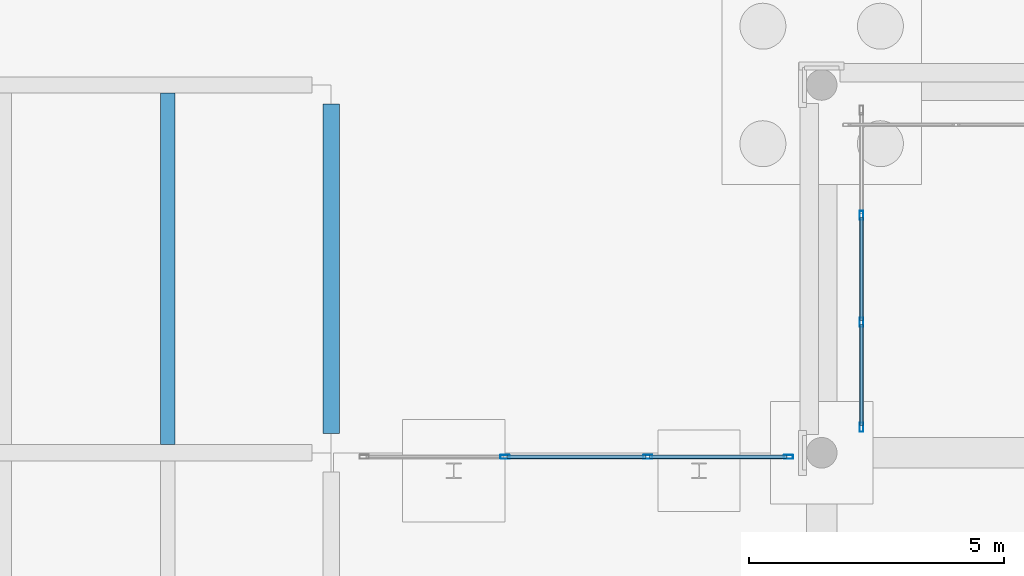
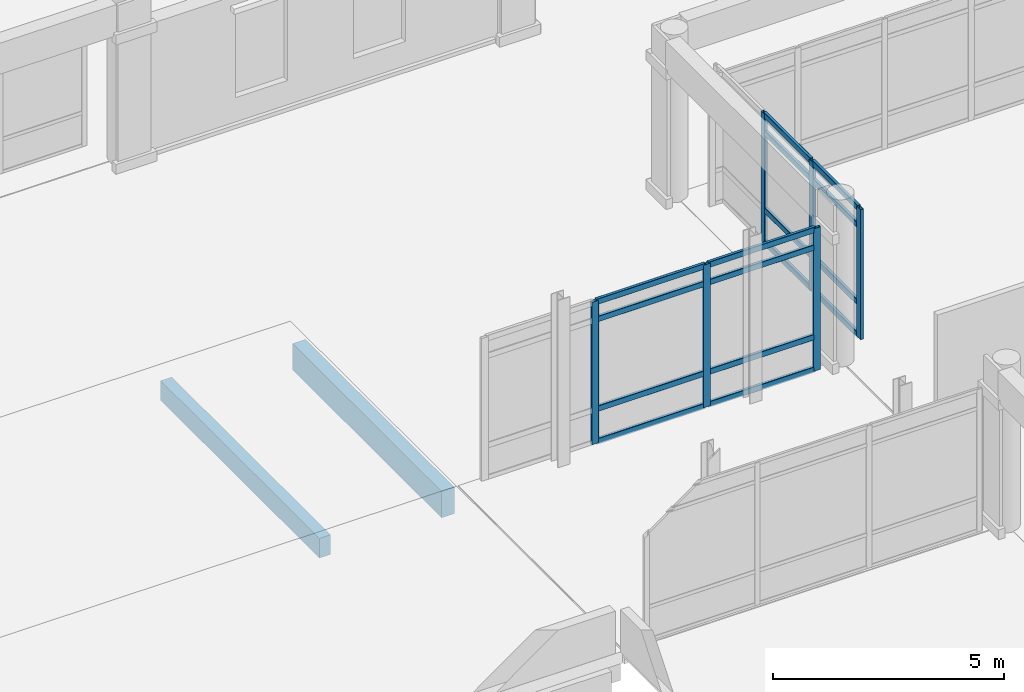
# One storey, part 75 of 196: 22 members, 2 beams, 2 elements without a shape of their own.
"""IFC4 building model written with IfcOpenShell, lengths in metres."""

from ifc_helpers import new_model, si_unit, direction, frame, origin, origin_2d, place, context, subcontext, project, spatial, rectangle, hollow_rectangle, extrude, material, layer, layer_set, material_profile, profile_set, type_object, element, aggregate, save


model = new_model("IFC4")

# Units and contexts
model_context = context("Model", 3, precision=1e-05, world=origin(), true_north=direction((0.0, 1.0)))
body_context = subcontext(model_context, "Body", "Model", "MODEL_VIEW")
ifc_project = project(units=[si_unit("LENGTHUNIT", "METRE"), si_unit("AREAUNIT", "SQUARE_METRE"), si_unit("VOLUMEUNIT", "CUBIC_METRE"), si_unit("PLANEANGLEUNIT", "RADIAN"), si_unit("MASSUNIT", "GRAM", prefix="KILO")], contexts=[model_context])

# Site, building, storey
site_placement = place(None, origin())
site = spatial("IfcSite", under=ifc_project, at=site_placement, CompositionType="ELEMENT")
building_placement = place(site_placement, origin())
building = spatial("IfcBuilding", under=site, at=building_placement, Name="Asteropetra Specialist Clinic", CompositionType="ELEMENT")
storey_placement = place(building_placement, origin())
storey = spatial("IfcBuildingStorey", under=building, at=storey_placement, Name="L00", CompositionType="ELEMENT", Elevation=0.0)

# Curtain wall, members
ifc_material_1 = material(Name="Aluminium and low-E glass", Category="aluminium")
ifc_layer_1 = layer(ifc_material_1, 0.135009765625)
ifc_layer_set_1 = layer_set([ifc_layer_1], Name="Aluminium and low-E glass")
curtain_wall_type_1 = type_object("IfcCurtainWallType", Name="CW-SYS-03", PredefinedType="USERDEFINED", material=ifc_layer_set_1)
curtain_wall_1_placement = place(storey_placement, origin())
curtain_wall_1 = element("IfcCurtainWall", 1, at=curtain_wall_1_placement, inside=storey, type_object=curtain_wall_type_1, Name="Curtain Wall CW-114", ObjectType="UNITISED CURTAIN WALL", PredefinedType="USERDEFINED")
ifc_material_2 = material(Name="Aluminium 6063-T6", Category="aluminium")
ifc_material_profile_1 = material_profile(ifc_material_2, hollow_rectangle(XDim=0.074951171875, YDim=0.179931640625, WallThickness=0.00390625, InnerFilletRadius=0.00390625, OuterFilletRadius=0.008056640625, at=origin_2d()), Name="MUL 180x75x4.0")
ifc_profile_set_1 = profile_set([ifc_material_profile_1], Name="Aluminium 6063-T6")
member_type_1 = type_object("IfcMemberType", Name="CWM-180x75", PredefinedType="MULLION", material=ifc_profile_set_1)
member_1_placement = place(storey_placement, frame((76.152587890625, 55.1201171875, 0.0), z_axis=(0.0, 0.0, 1.0), x_axis=(0.0, -1.0, 0.0)))
member_1 = element("IfcMember", 2, at=member_1_placement, type_object=member_type_1, Name="CW-114 mullion 1", PredefinedType="MULLION", context=body_context, shape_type="SweptSolid", body=[
    extrude(hollow_rectangle(XDim=0.074951171875, YDim=0.179931640625, WallThickness=0.00390625, InnerFilletRadius=0.00390625, OuterFilletRadius=0.008056640625, at=origin_2d()), origin(), (0.0, 0.0, 1.0), 3.77001953125),
])
member_2_placement = place(storey_placement, frame((73.396728515625, 55.1201171875, 0.0), z_axis=(0.0, 0.0, 1.0), x_axis=(0.0, -1.0, 0.0)))
member_2 = element("IfcMember", 3, at=member_2_placement, type_object=member_type_1, Name="CW-114 mullion 2", PredefinedType="MULLION", context=body_context, shape_type="SweptSolid", body=[
    extrude(hollow_rectangle(XDim=0.074951171875, YDim=0.179931640625, WallThickness=0.00390625, InnerFilletRadius=0.00390625, OuterFilletRadius=0.008056640625, at=origin_2d()), origin(), (0.0, 0.0, 1.0), 3.77001953125),
])
member_3_placement = place(storey_placement, frame((70.603271484375, 55.1201171875, 0.0), z_axis=(0.0, 0.0, 1.0), x_axis=(0.0, -1.0, 0.0)))
member_3 = element("IfcMember", 4, at=member_3_placement, type_object=member_type_1, Name="CW-114 mullion 3", PredefinedType="MULLION", context=body_context, shape_type="SweptSolid", body=[
    extrude(hollow_rectangle(XDim=0.074951171875, YDim=0.179931640625, WallThickness=0.00390625, InnerFilletRadius=0.00390625, OuterFilletRadius=0.008056640625, at=origin_2d()), origin(), (0.0, 0.0, 1.0), 3.77001953125),
])

ifc_material_3 = material(Name="Aluminium and low-E glass", Category="aluminium")
ifc_layer_2 = layer(ifc_material_3, 0.179931640625)
ifc_layer_set_2 = layer_set([ifc_layer_2], Name="Aluminium and low-E glass")
curtain_wall_type_2 = type_object("IfcCurtainWallType", Name="CW-SYS-01", PredefinedType="USERDEFINED", material=ifc_layer_set_2)
curtain_wall_2_placement = place(storey_placement, origin())
curtain_wall_2 = element("IfcCurtainWall", 5, at=curtain_wall_2_placement, inside=storey, type_object=curtain_wall_type_2, Name="Curtain Wall CW-171", ObjectType="UNITISED CURTAIN WALL", PredefinedType="USERDEFINED")
member_4_placement = place(storey_placement, frame((77.580078125, 59.8466796875, 0.0), z_axis=(0.0, 0.0, 1.0), x_axis=(1.0, 0.0, 0.0)))
member_4 = element("IfcMember", 6, at=member_4_placement, type_object=member_type_1, Name="CW-171 mullion 2", PredefinedType="MULLION", context=body_context, shape_type="SweptSolid", body=[
    extrude(hollow_rectangle(XDim=0.074951171875, YDim=0.179931640625, WallThickness=0.00390625, InnerFilletRadius=0.00390625, OuterFilletRadius=0.008056640625, at=origin_2d()), origin(), (0.0, 0.0, 1.0), 3.43994140625),
])
member_5_placement = place(storey_placement, frame((77.580078125, 57.75341796875, 0.0), z_axis=(0.0, 0.0, 1.0), x_axis=(1.0, 0.0, 0.0)))
member_5 = element("IfcMember", 7, at=member_5_placement, type_object=member_type_1, Name="CW-171 mullion 3", PredefinedType="MULLION", context=body_context, shape_type="SweptSolid", body=[
    extrude(hollow_rectangle(XDim=0.074951171875, YDim=0.179931640625, WallThickness=0.00390625, InnerFilletRadius=0.00390625, OuterFilletRadius=0.008056640625, at=origin_2d()), origin(), (0.0, 0.0, 1.0), 3.43994140625),
])
member_6_placement = place(storey_placement, frame((77.580078125, 55.697509765625, 0.0), z_axis=(0.0, 0.0, 1.0), x_axis=(1.0, 0.0, 0.0)))
member_6 = element("IfcMember", 8, at=member_6_placement, type_object=member_type_1, Name="CW-171 mullion 4", PredefinedType="MULLION", context=body_context, shape_type="SweptSolid", body=[
    extrude(hollow_rectangle(XDim=0.074951171875, YDim=0.179931640625, WallThickness=0.00390625, InnerFilletRadius=0.00390625, OuterFilletRadius=0.008056640625, at=origin_2d()), origin(), (0.0, 0.0, 1.0), 3.43994140625),
])

# Member
ifc_material_4 = material(Name="Aluminium 6063-T6", Category="aluminium")
ifc_material_profile_2 = material_profile(ifc_material_4, hollow_rectangle(XDim=0.074951171875, YDim=0.14990234375, WallThickness=0.00390625, InnerFilletRadius=0.00390625, OuterFilletRadius=0.008056640625, at=origin_2d()), Name="TRN 150x75x4.0")
ifc_profile_set_2 = profile_set([ifc_material_profile_2], Name="Aluminium 6063-T6")
member_type_2 = type_object("IfcMemberType", Name="CWT-150x75", PredefinedType="USERDEFINED", material=ifc_profile_set_2)
member_7_placement = place(storey_placement, frame((76.114990234375, 55.1201171875, 0.03759765625), z_axis=(-1.0, 0.0, 0.0), x_axis=(0.0, -1.0, 0.0)))
member_7 = element("IfcMember", 9, at=member_7_placement, type_object=member_type_2, Name="CW-114 transom 1.1", ObjectType="TRANSOM", PredefinedType="USERDEFINED", context=body_context, shape_type="SweptSolid", body=[
    extrude(hollow_rectangle(XDim=0.074951171875, YDim=0.14990234375, WallThickness=0.00390625, InnerFilletRadius=0.00390625, OuterFilletRadius=0.008056640625, at=origin_2d()), origin(), (0.0, 0.0, 1.0), 2.680908203125),
])

member_8_placement = place(storey_placement, frame((76.114990234375, 55.1201171875, 0.89990234375), z_axis=(-1.0, 0.0, 0.0), x_axis=(0.0, -1.0, 0.0)))
member_8 = element("IfcMember", 10, at=member_8_placement, type_object=member_type_2, Name="CW-114 transom 1.2", ObjectType="TRANSOM", PredefinedType="USERDEFINED", context=body_context, shape_type="SweptSolid", body=[
    extrude(hollow_rectangle(XDim=0.074951171875, YDim=0.14990234375, WallThickness=0.00390625, InnerFilletRadius=0.00390625, OuterFilletRadius=0.008056640625, at=origin_2d()), origin(), (0.0, 0.0, 1.0), 2.680908203125),
])

member_9_placement = place(storey_placement, frame((76.114990234375, 55.1201171875, 3.27001953125), z_axis=(-1.0, 0.0, 0.0), x_axis=(0.0, -1.0, 0.0)))
member_9 = element("IfcMember", 11, at=member_9_placement, type_object=member_type_2, Name="CW-114 transom 1.3", ObjectType="TRANSOM", PredefinedType="USERDEFINED", context=body_context, shape_type="SweptSolid", body=[
    extrude(hollow_rectangle(XDim=0.074951171875, YDim=0.14990234375, WallThickness=0.00390625, InnerFilletRadius=0.00390625, OuterFilletRadius=0.008056640625, at=origin_2d()), origin(), (0.0, 0.0, 1.0), 2.680908203125),
])

member_10_placement = place(storey_placement, frame((76.114990234375, 55.1201171875, 3.732421875), z_axis=(-1.0, 0.0, 0.0), x_axis=(0.0, -1.0, 0.0)))
member_10 = element("IfcMember", 12, at=member_10_placement, type_object=member_type_2, Name="CW-114 transom 1.4", ObjectType="TRANSOM", PredefinedType="USERDEFINED", context=body_context, shape_type="SweptSolid", body=[
    extrude(hollow_rectangle(XDim=0.074951171875, YDim=0.14990234375, WallThickness=0.00390625, InnerFilletRadius=0.00390625, OuterFilletRadius=0.008056640625, at=origin_2d()), origin(), (0.0, 0.0, 1.0), 2.680908203125),
])

member_11_placement = place(storey_placement, frame((73.359130859375, 55.1201171875, 0.03759765625), z_axis=(-1.0, 0.0, 0.0), x_axis=(0.0, -1.0, 0.0)))
member_11 = element("IfcMember", 13, at=member_11_placement, type_object=member_type_2, Name="CW-114 transom 2.1", ObjectType="TRANSOM", PredefinedType="USERDEFINED", context=body_context, shape_type="SweptSolid", body=[
    extrude(hollow_rectangle(XDim=0.074951171875, YDim=0.14990234375, WallThickness=0.00390625, InnerFilletRadius=0.00390625, OuterFilletRadius=0.008056640625, at=origin_2d()), origin(), (0.0, 0.0, 1.0), 2.71826171875),
])

member_12_placement = place(storey_placement, frame((73.359130859375, 55.1201171875, 0.89990234375), z_axis=(-1.0, 0.0, 0.0), x_axis=(0.0, -1.0, 0.0)))
member_12 = element("IfcMember", 14, at=member_12_placement, type_object=member_type_2, Name="CW-114 transom 2.2", ObjectType="TRANSOM", PredefinedType="USERDEFINED", context=body_context, shape_type="SweptSolid", body=[
    extrude(hollow_rectangle(XDim=0.074951171875, YDim=0.14990234375, WallThickness=0.00390625, InnerFilletRadius=0.00390625, OuterFilletRadius=0.008056640625, at=origin_2d()), origin(), (0.0, 0.0, 1.0), 2.71826171875),
])

member_13_placement = place(storey_placement, frame((73.359130859375, 55.1201171875, 3.27001953125), z_axis=(-1.0, 0.0, 0.0), x_axis=(0.0, -1.0, 0.0)))
member_13 = element("IfcMember", 15, at=member_13_placement, type_object=member_type_2, Name="CW-114 transom 2.3", ObjectType="TRANSOM", PredefinedType="USERDEFINED", context=body_context, shape_type="SweptSolid", body=[
    extrude(hollow_rectangle(XDim=0.074951171875, YDim=0.14990234375, WallThickness=0.00390625, InnerFilletRadius=0.00390625, OuterFilletRadius=0.008056640625, at=origin_2d()), origin(), (0.0, 0.0, 1.0), 2.71826171875),
])

member_14_placement = place(storey_placement, frame((73.359130859375, 55.1201171875, 3.732421875), z_axis=(-1.0, 0.0, 0.0), x_axis=(0.0, -1.0, 0.0)))
member_14 = element("IfcMember", 16, at=member_14_placement, type_object=member_type_2, Name="CW-114 transom 2.4", ObjectType="TRANSOM", PredefinedType="USERDEFINED", context=body_context, shape_type="SweptSolid", body=[
    extrude(hollow_rectangle(XDim=0.074951171875, YDim=0.14990234375, WallThickness=0.00390625, InnerFilletRadius=0.00390625, OuterFilletRadius=0.008056640625, at=origin_2d()), origin(), (0.0, 0.0, 1.0), 2.71826171875),
])

aggregate(curtain_wall_1, [member_1, member_2, member_3, member_7, member_8, member_9, member_10, member_11, member_12, member_13, member_14])

member_15_placement = place(storey_placement, frame((77.580078125, 59.80908203125, 0.03759765625), z_axis=(0.0, -1.0, 0.0), x_axis=(1.0, 0.0, 0.0)))
member_15 = element("IfcMember", 17, at=member_15_placement, type_object=member_type_2, Name="CW-171 transom 2.1", ObjectType="TRANSOM", PredefinedType="USERDEFINED", context=body_context, shape_type="SweptSolid", body=[
    extrude(hollow_rectangle(XDim=0.074951171875, YDim=0.14990234375, WallThickness=0.00390625, InnerFilletRadius=0.00390625, OuterFilletRadius=0.008056640625, at=origin_2d()), origin(), (0.0, 0.0, 1.0), 2.018310546875),
])

member_16_placement = place(storey_placement, frame((77.580078125, 59.80908203125, 0.89990234375), z_axis=(0.0, -1.0, 0.0), x_axis=(1.0, 0.0, 0.0)))
member_16 = element("IfcMember", 18, at=member_16_placement, type_object=member_type_2, Name="CW-171 transom 2.2", ObjectType="TRANSOM", PredefinedType="USERDEFINED", context=body_context, shape_type="SweptSolid", body=[
    extrude(hollow_rectangle(XDim=0.074951171875, YDim=0.14990234375, WallThickness=0.00390625, InnerFilletRadius=0.00390625, OuterFilletRadius=0.008056640625, at=origin_2d()), origin(), (0.0, 0.0, 1.0), 2.018310546875),
])

member_17_placement = place(storey_placement, frame((77.580078125, 59.80908203125, 2.93994140625), z_axis=(0.0, -1.0, 0.0), x_axis=(1.0, 0.0, 0.0)))
member_17 = element("IfcMember", 19, at=member_17_placement, type_object=member_type_2, Name="CW-171 transom 2.3", ObjectType="TRANSOM", PredefinedType="USERDEFINED", context=body_context, shape_type="SweptSolid", body=[
    extrude(hollow_rectangle(XDim=0.074951171875, YDim=0.14990234375, WallThickness=0.00390625, InnerFilletRadius=0.00390625, OuterFilletRadius=0.008056640625, at=origin_2d()), origin(), (0.0, 0.0, 1.0), 2.018310546875),
])

member_18_placement = place(storey_placement, frame((77.580078125, 59.80908203125, 3.402587890625), z_axis=(0.0, -1.0, 0.0), x_axis=(1.0, 0.0, 0.0)))
member_18 = element("IfcMember", 20, at=member_18_placement, type_object=member_type_2, Name="CW-171 transom 2.4", ObjectType="TRANSOM", PredefinedType="USERDEFINED", context=body_context, shape_type="SweptSolid", body=[
    extrude(hollow_rectangle(XDim=0.074951171875, YDim=0.14990234375, WallThickness=0.00390625, InnerFilletRadius=0.00390625, OuterFilletRadius=0.008056640625, at=origin_2d()), origin(), (0.0, 0.0, 1.0), 2.018310546875),
])

member_19_placement = place(storey_placement, frame((77.580078125, 57.7158203125, 0.03759765625), z_axis=(0.0, -1.0, 0.0), x_axis=(1.0, 0.0, 0.0)))
member_19 = element("IfcMember", 21, at=member_19_placement, type_object=member_type_2, Name="CW-171 transom 3.1", ObjectType="TRANSOM", PredefinedType="USERDEFINED", context=body_context, shape_type="SweptSolid", body=[
    extrude(hollow_rectangle(XDim=0.074951171875, YDim=0.14990234375, WallThickness=0.00390625, InnerFilletRadius=0.00390625, OuterFilletRadius=0.008056640625, at=origin_2d()), origin(), (0.0, 0.0, 1.0), 1.980712890625),
])

member_20_placement = place(storey_placement, frame((77.580078125, 57.7158203125, 0.89990234375), z_axis=(0.0, -1.0, 0.0), x_axis=(1.0, 0.0, 0.0)))
member_20 = element("IfcMember", 22, at=member_20_placement, type_object=member_type_2, Name="CW-171 transom 3.2", ObjectType="TRANSOM", PredefinedType="USERDEFINED", context=body_context, shape_type="SweptSolid", body=[
    extrude(hollow_rectangle(XDim=0.074951171875, YDim=0.14990234375, WallThickness=0.00390625, InnerFilletRadius=0.00390625, OuterFilletRadius=0.008056640625, at=origin_2d()), origin(), (0.0, 0.0, 1.0), 1.980712890625),
])

member_21_placement = place(storey_placement, frame((77.580078125, 57.7158203125, 2.93994140625), z_axis=(0.0, -1.0, 0.0), x_axis=(1.0, 0.0, 0.0)))
member_21 = element("IfcMember", 23, at=member_21_placement, type_object=member_type_2, Name="CW-171 transom 3.3", ObjectType="TRANSOM", PredefinedType="USERDEFINED", context=body_context, shape_type="SweptSolid", body=[
    extrude(hollow_rectangle(XDim=0.074951171875, YDim=0.14990234375, WallThickness=0.00390625, InnerFilletRadius=0.00390625, OuterFilletRadius=0.008056640625, at=origin_2d()), origin(), (0.0, 0.0, 1.0), 1.980712890625),
])

member_22_placement = place(storey_placement, frame((77.580078125, 57.7158203125, 3.402587890625), z_axis=(0.0, -1.0, 0.0), x_axis=(1.0, 0.0, 0.0)))
member_22 = element("IfcMember", 24, at=member_22_placement, type_object=member_type_2, Name="CW-171 transom 3.4", ObjectType="TRANSOM", PredefinedType="USERDEFINED", context=body_context, shape_type="SweptSolid", body=[
    extrude(hollow_rectangle(XDim=0.074951171875, YDim=0.14990234375, WallThickness=0.00390625, InnerFilletRadius=0.00390625, OuterFilletRadius=0.008056640625, at=origin_2d()), origin(), (0.0, 0.0, 1.0), 1.980712890625),
])

aggregate(curtain_wall_2, [member_4, member_5, member_6, member_15, member_16, member_17, member_18, member_19, member_20, member_21, member_22])

# Beams
ifc_material_5 = material(Name="Concrete C35/45", Category="concrete")
ifc_material_profile_3 = material_profile(ifc_material_5, rectangle(XDim=0.280029296875, YDim=0.52001953125, at=origin_2d()), Name="RCJ 280x520")
ifc_profile_set_3 = profile_set([ifc_material_profile_3], Name="Concrete C35/45")
beam_type_1 = type_object("IfcBeamType", Name="JST-RC280x520", PredefinedType="JOIST", material=ifc_profile_set_3)
beam_1_placement = place(storey_placement, frame((64.0, 55.360107421875, -0.570068359375), z_axis=(0.0, 1.0, 0.0), x_axis=(-1.0, 0.0, 0.0)))
element("IfcBeam", 25, at=beam_1_placement, inside=storey, type_object=beam_type_1, Name="Joist JJST01-0132", PredefinedType="JOIST", context=body_context, shape_type="SweptSolid", body=[
    extrude(rectangle(XDim=0.280029296875, YDim=0.52001953125, at=origin_2d()), origin(), (0.0, 0.0, 1.0), 6.8798828125),
])
ifc_material_6 = material(Name="Concrete C35/45", Category="concrete")
ifc_material_profile_4 = material_profile(ifc_material_6, rectangle(XDim=0.320068359375, YDim=0.699951171875, at=origin_2d()), Name="RCS 320x700")
ifc_profile_set_4 = profile_set([ifc_material_profile_4], Name="Concrete C35/45")
beam_type_2 = type_object("IfcBeamType", Name="SPN-RC320x700", PredefinedType="SPANDREL", material=ifc_profile_set_4)
beam_2_placement = place(storey_placement, frame((67.199951171875, 55.574951171875, -0.659912109375), z_axis=(0.0, 1.0, 0.0), x_axis=(-1.0, 0.0, 0.0)))
element("IfcBeam", 26, at=beam_2_placement, inside=storey, type_object=beam_type_2, Name="Beam BSPN02-0128", PredefinedType="SPANDREL", context=body_context, shape_type="SweptSolid", body=[
    extrude(rectangle(XDim=0.320068359375, YDim=0.699951171875, at=origin_2d()), origin(), (0.0, 0.0, 1.0), 6.449951171875),
])

save(model, "model.ifc")
